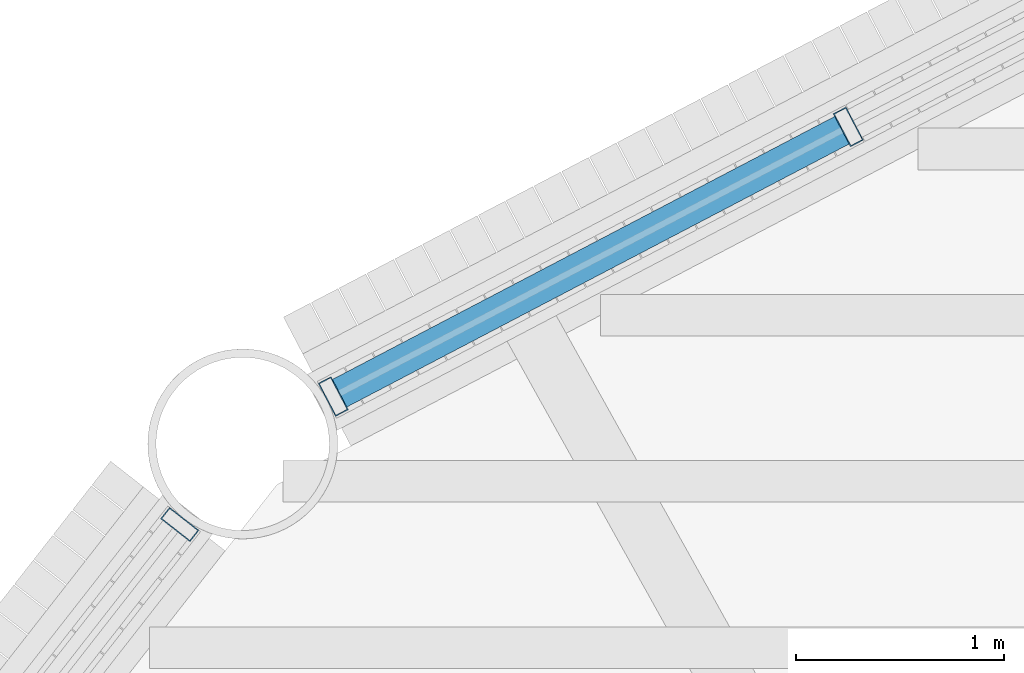
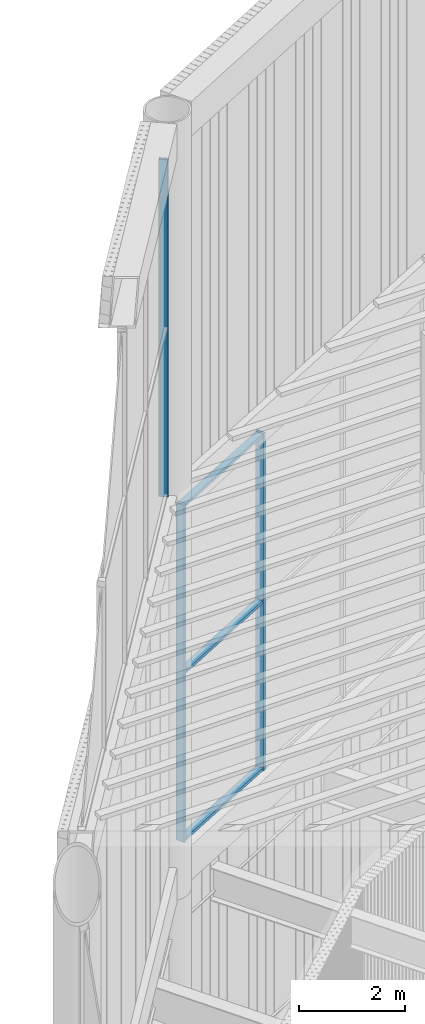
# One storey, part 47 of 117: 6 members, 2 elements without a shape of their own.
"""IFC4 building model written with IfcOpenShell, lengths in metres."""

from ifc_helpers import new_model, si_unit, direction, frame, origin, origin_2d, place, context, subcontext, project, spatial, hollow_rectangle, extrude, material, layer, layer_set, material_profile, profile_set, type_object, element, aggregate, save


model = new_model("IFC4")

# Units and contexts
model_context = context("Model", 3, precision=1e-05, world=origin(), true_north=direction((0.0, 1.0)))
body_context = subcontext(model_context, "Body", "Model", "MODEL_VIEW")
ifc_project = project(units=[si_unit("LENGTHUNIT", "METRE"), si_unit("AREAUNIT", "SQUARE_METRE"), si_unit("VOLUMEUNIT", "CUBIC_METRE"), si_unit("PLANEANGLEUNIT", "RADIAN"), si_unit("MASSUNIT", "GRAM", prefix="KILO")], contexts=[model_context])

# Site, building, storey
site_placement = place(None, origin())
site = spatial("IfcSite", under=ifc_project, at=site_placement, CompositionType="ELEMENT")
building_placement = place(site_placement, origin())
building = spatial("IfcBuilding", under=site, at=building_placement, Name="Tarsis Ring Headquarters", CompositionType="ELEMENT")
storey_placement = place(building_placement, frame((0.0, 0.0, 403.60009765625)))
storey = spatial("IfcBuildingStorey", under=building, at=storey_placement, Name="L95", CompositionType="ELEMENT", Elevation=403.60009765625)

# Curtain wall, members
ifc_material_1 = material(Name="Aluminium curtain wall", Category="aluminium")
ifc_layer = layer(ifc_material_1, 0.179931640625)
ifc_layer_set = layer_set([ifc_layer], Name="Curtain wall crown glazing")
curtain_wall_type = type_object("IfcCurtainWallType", Name="Curtain wall crown glazing", PredefinedType="NOTDEFINED", material=ifc_layer_set)
curtain_wall_1_placement = place(storey_placement, origin())
curtain_wall_1 = element("IfcCurtainWall", 1, at=curtain_wall_1_placement, inside=storey, type_object=curtain_wall_type, Name="Crown glazing L11", PredefinedType="NOTDEFINED")
ifc_material_2 = material(Name="Aluminium mullion", Category="aluminium")
ifc_material_profile_1 = material_profile(ifc_material_2, hollow_rectangle(XDim=0.179931640625, YDim=0.070068359375, WallThickness=0.0048828125, at=origin_2d()), Name="RHS 180x70x5")
ifc_profile_set_1 = profile_set([ifc_material_profile_1], Name="Aluminium mullion")
member_type_1 = type_object("IfcMemberType", Name="Crown glazing mullion RHS 180x70x5", PredefinedType="MULLION", material=ifc_profile_set_1)
member_1_placement = place(storey_placement, frame((-15.680908203125, 23.84228515625, 5.7998046875), z_axis=(0.0, 0.0, 1.0), x_axis=(0.463817712561, -0.885930657284, 0.0)))
member_1 = element("IfcMember", 2, at=member_1_placement, type_object=member_type_1, Name="CW-C mullion 4", PredefinedType="MULLION", context=body_context, shape_type="SweptSolid", body=[
    extrude(hollow_rectangle(XDim=0.179931640625, YDim=0.070068359375, WallThickness=0.0048828125, at=origin_2d()), origin(), (0.0, 0.0, 1.0), 7.800048828125),
])
member_2_placement = place(storey_placement, frame((-18.160400390625, 22.544189453125, 5.7998046875), z_axis=(0.0, 0.0, 1.0), x_axis=(0.463817712561, -0.885930657284, 0.0)))
member_2 = element("IfcMember", 3, at=member_2_placement, type_object=member_type_1, Name="CW-C mullion 5", PredefinedType="MULLION", context=body_context, shape_type="SweptSolid", body=[
    extrude(hollow_rectangle(XDim=0.179931640625, YDim=0.070068359375, WallThickness=0.0048828125, at=origin_2d()), origin(), (0.0, 0.0, 1.0), 7.800048828125),
])

# Curtain wall, member
curtain_wall_2_placement = place(storey_placement, origin())
curtain_wall_2 = element("IfcCurtainWall", 4, at=curtain_wall_2_placement, inside=storey, type_object=curtain_wall_type, Name="Crown glazing U12", PredefinedType="NOTDEFINED")
member_3_placement = place(storey_placement, frame((-18.899169921875, 21.92822265625, 14.39990234375), z_axis=(0.0, 0.0, 1.0), x_axis=(0.787755298297, -0.615988303465, 0.0)))
member_3 = element("IfcMember", 5, at=member_3_placement, type_object=member_type_1, Name="CW-C mullion 1", PredefinedType="MULLION", context=body_context, shape_type="SweptSolid", body=[
    extrude(hollow_rectangle(XDim=0.179931640625, YDim=0.070068359375, WallThickness=0.0048828125, at=origin_2d()), origin(), (0.0, 0.0, 1.0), 7.800048828125),
])
aggregate(curtain_wall_2, [member_3])

# Member
ifc_material_3 = material(Name="Aluminium transom", Category="aluminium")
ifc_material_profile_2 = material_profile(ifc_material_3, hollow_rectangle(XDim=0.14990234375, YDim=0.070068359375, WallThickness=0.0048828125, at=origin_2d()), Name="RHS 150x70x5")
ifc_profile_set_2 = profile_set([ifc_material_profile_2], Name="Aluminium transom")
member_type_2 = type_object("IfcMemberType", Name="Crown glazing transom RHS 150x70x5", PredefinedType="USERDEFINED", material=ifc_profile_set_2)
member_4_placement = place(storey_placement, frame((-15.7119140625, 23.825927734375, 5.8349609375), z_axis=(-0.885933083335, -0.463813078571, 0.0), x_axis=(0.463813078571, -0.885933083335, 0.0)))
member_4 = element("IfcMember", 6, at=member_4_placement, type_object=member_type_2, Name="CW-C transom 4.1", ObjectType="TRANSOM", PredefinedType="USERDEFINED", context=body_context, shape_type="SweptSolid", body=[
    extrude(hollow_rectangle(XDim=0.14990234375, YDim=0.070068359375, WallThickness=0.0048828125, at=origin_2d()), origin(), (0.0, 0.0, 1.0), 2.728759765625),
])

member_5_placement = place(storey_placement, frame((-15.7119140625, 23.825927734375, 9.699951171875), z_axis=(-0.885933083335, -0.463813078571, 0.0), x_axis=(0.463813078571, -0.885933083335, 0.0)))
member_5 = element("IfcMember", 7, at=member_5_placement, type_object=member_type_2, Name="CW-C transom 4.2", ObjectType="TRANSOM", PredefinedType="USERDEFINED", context=body_context, shape_type="SweptSolid", body=[
    extrude(hollow_rectangle(XDim=0.14990234375, YDim=0.070068359375, WallThickness=0.0048828125, at=origin_2d()), origin(), (0.0, 0.0, 1.0), 2.728759765625),
])

member_6_placement = place(storey_placement, frame((-15.7119140625, 23.825927734375, 13.56494140625), z_axis=(-0.885933083335, -0.463813078571, 0.0), x_axis=(0.463813078571, -0.885933083335, 0.0)))
member_6 = element("IfcMember", 8, at=member_6_placement, type_object=member_type_2, Name="CW-C transom 4.3", ObjectType="TRANSOM", PredefinedType="USERDEFINED", context=body_context, shape_type="SweptSolid", body=[
    extrude(hollow_rectangle(XDim=0.14990234375, YDim=0.070068359375, WallThickness=0.0048828125, at=origin_2d()), origin(), (0.0, 0.0, 1.0), 2.728759765625),
])

aggregate(curtain_wall_1, [member_1, member_2, member_4, member_5, member_6])

save(model, "model.ifc")
